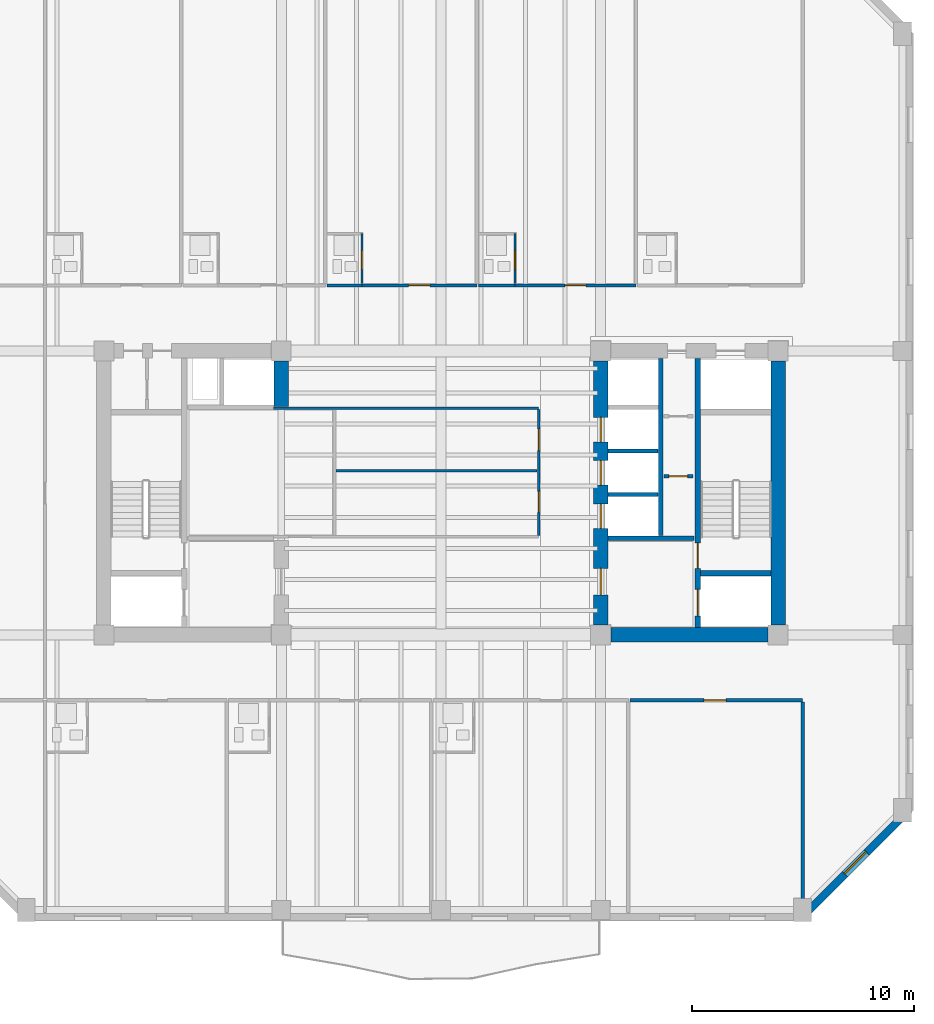
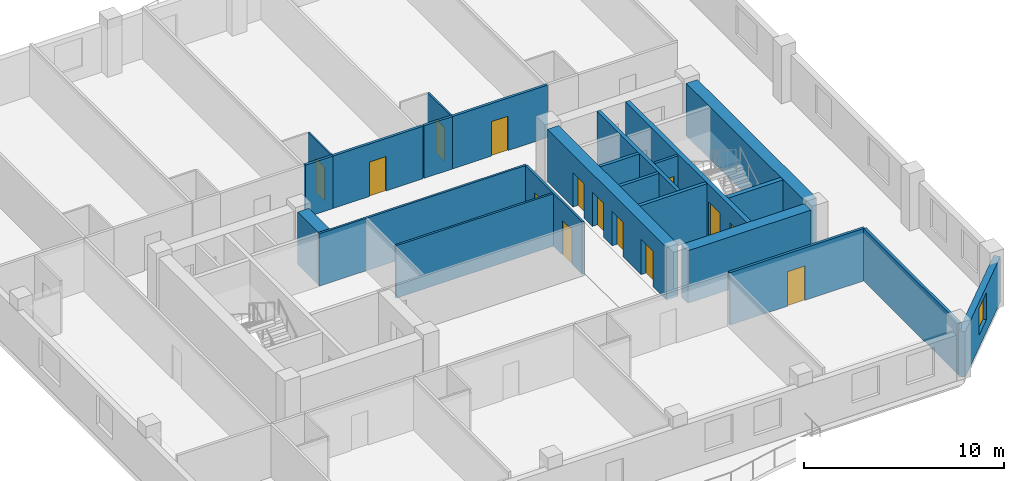
# One storey, part 4 of 10: 23 walls, 14 doors, 1 window, 15 openings.
"""IFC4 building model written with IfcOpenShell, lengths in metres."""

from ifc_helpers import new_model, si_unit, direction, frame, frame_2d, origin, place, context, subcontext, project, spatial, rectangle, extrude, material, layer, layer_set, type_object, element, fill, save


model = new_model("IFC4")

# Units and contexts
model_context = context("Model", 3, precision=1e-05, world=origin(), true_north=direction((0.0, 1.0)))
body_context = subcontext(model_context, "Body", "Model", "MODEL_VIEW")
ifc_project = project(units=[si_unit("LENGTHUNIT", "METRE"), si_unit("AREAUNIT", "SQUARE_METRE"), si_unit("VOLUMEUNIT", "CUBIC_METRE"), si_unit("PLANEANGLEUNIT", "RADIAN"), si_unit("MASSUNIT", "GRAM", prefix="KILO")], contexts=[model_context])

# Site, building, storey
site_placement = place(None, origin())
site = spatial("IfcSite", under=ifc_project, at=site_placement, CompositionType="ELEMENT")
building_placement = place(site_placement, origin())
building = spatial("IfcBuilding", under=site, at=building_placement, Name="Kranthara Brick Stack", CompositionType="ELEMENT")
storey_placement = place(building_placement, frame((0.0, 0.0, 186.800048828125)))
storey = spatial("IfcBuildingStorey", under=building, at=storey_placement, Name="L48", CompositionType="ELEMENT", Elevation=186.800048828125)

# Wall, opening, window
ifc_material_1 = material(Name="Kiln-fired clay brick masonry M15", Category="masonry")
ifc_layer_1 = layer(ifc_material_1, 0.35009765625)
ifc_layer_set_1 = layer_set([ifc_layer_1], Name="Kiln-fired clay brick masonry M15")
wall_type_1 = type_object("IfcWallType", Name="WL-BRK-SPND-350", PredefinedType="STANDARD", material=ifc_layer_set_1)
wall_1_placement = place(storey_placement, frame((49.10498046875, 12.89990234375, 0.0), z_axis=(0.0, 0.0, 1.0), x_axis=(-0.707106781187, -0.707106781187, 0.0)))
wall_1 = element("IfcWall", 1, at=wall_1_placement, inside=storey, type_object=wall_type_1, Name="L48 Exterior Brick Facade Wall SE 1", PredefinedType="STANDARD", context=body_context, shape_type="SweptSolid", body=[
    extrude(rectangle(XDim=6.795166015625, YDim=0.35009765625, at=frame_2d((3.3974609375, 0.0))), origin(), (0.0, 0.0, 1.0), 2.784912109375),
])
opening_1_placement = place(wall_1_placement, frame((2.697998046875, 0.0, 0.75)))
opening_1 = element("IfcOpeningElement", 2, at=opening_1_placement, cuts=wall_1, Name="Opening WN10", PredefinedType="OPENING", context=body_context, shape_type="SweptSolid", body=[
    extrude(rectangle(XDim=1.39990234375, YDim=1.64990234375, at=frame_2d((0.699951171875, 0.824951171875))), frame((0.0, 0.18505859375, 0.0), z_axis=(0.0, -1.0, 0.0), x_axis=(1.0, 0.0, 0.0)), (0.0, 0.0, 1.0), 0.3701171875),
])
ifc_material_2 = material(Name="Double-glazed low-E solar control glass", Category="glass")
window_type = type_object("IfcWindowType", Name="WN-CHM-1400x1750", PartitioningType="SINGLE_PANEL", PredefinedType="WINDOW", material=ifc_material_2)
window_placement = place(opening_1_placement, origin())
window = element("IfcWindow", 3, at=window_placement, inside=storey, type_object=window_type, Name="L48 SE Chamfer Corner Window", OverallHeight=1.64990234375, OverallWidth=1.39990234375, PartitioningType="SINGLE_PANEL", PredefinedType="WINDOW", context=body_context, shape_type="SweptSolid", body=[
    extrude(rectangle(XDim=1.39990234375, YDim=1.64990234375, at=frame_2d((0.699951171875, 0.824951171875))), frame((0.0, -0.010009765625, 0.0), z_axis=(0.0, -1.0, 0.0), x_axis=(1.0, 0.0, 0.0)), (0.0, 0.0, 1.0), 0.06005859375),
])
fill(opening_1, window)

# Wall, openings, doors
ifc_material_3 = material(Name="Concrete C50/60", Category="concrete")
ifc_layer_2 = layer(ifc_material_3, 0.25)
ifc_layer_set_2 = layer_set([ifc_layer_2], Name="Concrete C50/60")
wall_type_2 = type_object("IfcWallType", Name="WL-CORE-250", PredefinedType="SHEAR", material=ifc_layer_set_2)
wall_2_placement = place(storey_placement, frame((39.56494140625, 21.135009765625, 0.0), z_axis=(0.0, 0.0, 1.0), x_axis=(0.0, 1.0, 0.0)))
wall_2 = element("IfcWall", 4, at=wall_2_placement, inside=storey, type_object=wall_type_2, Name="L48 East Core Stair Bearing Spine Wall", PredefinedType="SHEAR", context=body_context, shape_type="SweptSolid", body=[
    extrude(rectangle(XDim=12.1298828125, YDim=0.25, at=frame_2d((6.06494140625, 0.0))), origin(), (0.0, 0.0, 1.0), 3.199951171875),
])
opening_2_placement = place(wall_2_placement, frame((0.514892578125, 0.0, 0.0)))
opening_2 = element("IfcOpeningElement", 5, at=opening_2_placement, cuts=wall_2, Name="Opening LD01", PredefinedType="OPENING", context=body_context, shape_type="SweptSolid", body=[
    extrude(rectangle(XDim=1.199951171875, YDim=2.14990234375, at=frame_2d((0.60009765625, 1.074951171875))), frame((0.0, 0.135009765625, 0.0), z_axis=(0.0, -1.0, 0.0), x_axis=(1.0, 0.0, 0.0)), (0.0, 0.0, 1.0), 0.27001953125),
])
opening_3_placement = place(wall_2_placement, frame((2.6650390625, 0.0, 0.0)))
opening_3 = element("IfcOpeningElement", 6, at=opening_3_placement, cuts=wall_2, Name="Opening D05", PredefinedType="OPENING", context=body_context, shape_type="SweptSolid", body=[
    extrude(rectangle(XDim=1.14990234375, YDim=2.14990234375, at=frame_2d((0.574951171875, 1.074951171875))), frame((0.0, 0.135009765625, 0.0), z_axis=(0.0, -1.0, 0.0), x_axis=(1.0, 0.0, 0.0)), (0.0, 0.0, 1.0), 0.27001953125),
])
ifc_material_4 = material(Name="Stainless steel sliding landing door", Category="steel")
door_type_1 = type_object("IfcDoorType", Name="DR-LD-FF1200", OperationType="DOUBLE_DOOR_SLIDING", PredefinedType="DOOR", material=ifc_material_4)
door_1_placement = place(opening_2_placement, origin())
door_1 = element("IfcDoor", 7, at=door_1_placement, inside=storey, type_object=door_type_1, Name="L48 Firefighting Lift FF-02 Landing Door", OperationType="DOUBLE_DOOR_SLIDING", OverallHeight=2.14990234375, OverallWidth=1.199951171875, PredefinedType="DOOR", context=body_context, shape_type="SweptSolid", body=[
    extrude(rectangle(XDim=1.199951171875, YDim=2.14990234375, at=frame_2d((0.60009765625, 1.074951171875))), frame((0.0, 0.02490234375, 0.0), z_axis=(0.0, -1.0, 0.0), x_axis=(1.0, 0.0, 0.0)), (0.0, 0.0, 1.0), 0.050048828125),
])
fill(opening_2, door_1)
ifc_material_5 = material(Name="Solid-core hardwood timber leaf in steel frame", Category="steel")
door_type_2 = type_object("IfcDoorType", Name="DR-ST-1150", OperationType="NOTDEFINED", PredefinedType="DOOR", material=ifc_material_5)
door_2_placement = place(opening_3_placement, origin())
door_2 = element("IfcDoor", 8, at=door_2_placement, inside=storey, type_object=door_type_2, Name="L48 Exit Stair ST02 Door", OperationType="SINGLE_SWING_LEFT", OverallHeight=2.14990234375, OverallWidth=1.14990234375, PredefinedType="DOOR", context=body_context, shape_type="SweptSolid", body=[
    extrude(rectangle(XDim=1.14990234375, YDim=2.14990234375, at=frame_2d((0.574951171875, 1.074951171875))), frame((0.0, 0.02490234375, 0.0), z_axis=(0.0, -1.0, 0.0), x_axis=(1.0, 0.0, 0.0)), (0.0, 0.0, 1.0), 0.050048828125),
])
fill(opening_3, door_2)

# Walls
wall_3_placement = place(storey_placement, frame((39.68994140625, 23.570068359375, 0.0), z_axis=(0.0, 0.0, 1.0), x_axis=(1.0, 0.0, 0.0)))
element("IfcWall", 9, at=wall_3_placement, inside=storey, type_object=wall_type_2, Name="L48 East Stairwell Bearing Wall EFF", PredefinedType="SHEAR", context=body_context, shape_type="SweptSolid", body=[
    extrude(rectangle(XDim=3.175048828125, YDim=0.25, at=frame_2d((1.58740234375, 0.0))), origin(), (0.0, 0.0, 1.0), 3.199951171875),
])
ifc_material_6 = material(Name="Concrete C60/75", Category="concrete")
ifc_layer_3 = layer(ifc_material_6, 0.64990234375)
ifc_layer_set_3 = layer_set([ifc_layer_3], Name="Concrete C60/75")
wall_type_3 = type_object("IfcWallType", Name="WL-CORE-650", PredefinedType="SHEAR", material=ifc_layer_set_3)
wall_4_placement = place(storey_placement, frame((20.800048828125, 31.10009765625, 0.0), z_axis=(0.0, 0.0, 1.0), x_axis=(0.0, 1.0, 0.0)))
element("IfcWall", 10, at=wall_4_placement, inside=storey, type_object=wall_type_3, Name="L48 West Core High-Rise Lift Wall", PredefinedType="SHEAR", context=body_context, shape_type="SweptSolid", body=[
    extrude(rectangle(XDim=2.044921875, YDim=0.64990234375, at=frame_2d((1.0224609375, 0.0))), origin(), (0.0, 0.0, 1.0), 3.199951171875),
])
wall_5_placement = place(storey_placement, frame((43.199951171875, 21.2548828125, 0.0), z_axis=(0.0, 0.0, 1.0), x_axis=(0.0, 1.0, 0.0)))
element("IfcWall", 11, at=wall_5_placement, inside=storey, type_object=wall_type_3, Name="L48 East Core Shear Wall East", PredefinedType="SHEAR", context=body_context, shape_type="SweptSolid", body=[
    extrude(rectangle(XDim=11.89013671875, YDim=0.64990234375, at=frame_2d((5.945068359375, 0.0))), origin(), (0.0, 0.0, 1.0), 3.199951171875),
])
wall_6_placement = place(storey_placement, frame((35.655029296875, 20.800048828125, 0.0), z_axis=(0.0, 0.0, 1.0), x_axis=(1.0, 0.0, 0.0)))
element("IfcWall", 12, at=wall_6_placement, inside=storey, type_object=wall_type_3, Name="L48 East Core Shear Wall South", PredefinedType="SHEAR", context=body_context, shape_type="SweptSolid", body=[
    extrude(rectangle(XDim=7.090087890625, YDim=0.64990234375, at=frame_2d((3.544921875, 0.0))), origin(), (0.0, 0.0, 1.0), 3.199951171875),
])

# Wall, openings, doors
wall_7_placement = place(storey_placement, frame((35.199951171875, 21.2548828125, 0.0), z_axis=(0.0, 0.0, 1.0), x_axis=(0.0, 1.0, 0.0)))
wall_7 = element("IfcWall", 13, at=wall_7_placement, inside=storey, type_object=wall_type_3, Name="L48 East Core Shear Wall West", PredefinedType="SHEAR", context=body_context, shape_type="SweptSolid", body=[
    extrude(rectangle(XDim=11.89013671875, YDim=0.64990234375, at=frame_2d((5.945068359375, 0.0))), origin(), (0.0, 0.0, 1.0), 3.199951171875),
])
opening_4_placement = place(wall_7_placement, frame((1.344970703125, 0.0, 0.0)))
opening_4 = element("IfcOpeningElement", 14, at=opening_4_placement, cuts=wall_7, Name="Opening D06", PredefinedType="OPENING", context=body_context, shape_type="SweptSolid", body=[
    extrude(rectangle(XDim=1.199951171875, YDim=2.14990234375, at=frame_2d((0.60009765625, 1.074951171875))), frame((0.0, 0.3349609375, 0.0), z_axis=(0.0, -1.0, 0.0), x_axis=(1.0, 0.0, 0.0)), (0.0, 0.0, 1.0), 0.669921875),
])
opening_5_placement = place(wall_7_placement, frame((4.344970703125, 0.0, 0.0)))
opening_5 = element("IfcOpeningElement", 15, at=opening_5_placement, cuts=wall_7, Name="Opening LD02", PredefinedType="OPENING", context=body_context, shape_type="SweptSolid", body=[
    extrude(rectangle(XDim=1.10009765625, YDim=2.10009765625, at=frame_2d((0.550048828125, 1.050048828125))), frame((0.0, 0.3349609375, 0.0), z_axis=(0.0, -1.0, 0.0), x_axis=(1.0, 0.0, 0.0)), (0.0, 0.0, 1.0), 0.669921875),
])
opening_6_placement = place(wall_7_placement, frame((6.294921875, 0.0, 0.0)))
opening_6 = element("IfcOpeningElement", 16, at=opening_6_placement, cuts=wall_7, Name="Opening LD02", PredefinedType="OPENING", context=body_context, shape_type="SweptSolid", body=[
    extrude(rectangle(XDim=1.10009765625, YDim=2.10009765625, at=frame_2d((0.550048828125, 1.050048828125))), frame((0.0, 0.3349609375, 0.0), z_axis=(0.0, -1.0, 0.0), x_axis=(1.0, 0.0, 0.0)), (0.0, 0.0, 1.0), 0.669921875),
])
opening_7_placement = place(wall_7_placement, frame((8.2451171875, 0.0, 0.0)))
opening_7 = element("IfcOpeningElement", 17, at=opening_7_placement, cuts=wall_7, Name="Opening LD02", PredefinedType="OPENING", context=body_context, shape_type="SweptSolid", body=[
    extrude(rectangle(XDim=1.10009765625, YDim=2.10009765625, at=frame_2d((0.550048828125, 1.050048828125))), frame((0.0, 0.3349609375, 0.0), z_axis=(0.0, -1.0, 0.0), x_axis=(1.0, 0.0, 0.0)), (0.0, 0.0, 1.0), 0.669921875),
])
ifc_material_7 = material(Name="Solid-core hardwood timber leaf in steel frame", Category="steel")
door_type_3 = type_object("IfcDoorType", Name="DR-FFL-1200", OperationType="NOTDEFINED", PredefinedType="DOOR", material=ifc_material_7)
door_3_placement = place(opening_4_placement, origin())
door_3 = element("IfcDoor", 18, at=door_3_placement, inside=storey, type_object=door_type_3, Name="L48 East Firefighting Lobby Door", OperationType="SINGLE_SWING_RIGHT", OverallHeight=2.14990234375, OverallWidth=1.199951171875, PredefinedType="DOOR", context=body_context, shape_type="SweptSolid", body=[
    extrude(rectangle(XDim=1.199951171875, YDim=2.14990234375, at=frame_2d((0.60009765625, 1.074951171875))), frame((0.0, 0.02490234375, 0.0), z_axis=(0.0, -1.0, 0.0), x_axis=(1.0, 0.0, 0.0)), (0.0, 0.0, 1.0), 0.050048828125),
])
fill(opening_4, door_3)
ifc_material_8 = material(Name="Stainless steel sliding landing door", Category="steel")
door_type_4 = type_object("IfcDoorType", Name="DR-LD-PL1100", OperationType="DOUBLE_DOOR_SLIDING", PredefinedType="DOOR", material=ifc_material_8)
door_4_placement = place(opening_5_placement, origin())
door_4 = element("IfcDoor", 19, at=door_4_placement, inside=storey, type_object=door_type_4, Name="L48 PL-04 Lift Landing Door", OperationType="DOUBLE_DOOR_SLIDING", OverallHeight=2.10009765625, OverallWidth=1.10009765625, PredefinedType="DOOR", context=body_context, shape_type="SweptSolid", body=[
    extrude(rectangle(XDim=1.10009765625, YDim=2.10009765625, at=frame_2d((0.550048828125, 1.050048828125))), frame((0.0, 0.02490234375, 0.0), z_axis=(0.0, -1.0, 0.0), x_axis=(1.0, 0.0, 0.0)), (0.0, 0.0, 1.0), 0.050048828125),
])
fill(opening_5, door_4)
door_5_placement = place(opening_6_placement, origin())
door_5 = element("IfcDoor", 20, at=door_5_placement, inside=storey, type_object=door_type_4, Name="L48 PL-05 Lift Landing Door", OperationType="DOUBLE_DOOR_SLIDING", OverallHeight=2.10009765625, OverallWidth=1.10009765625, PredefinedType="DOOR", context=body_context, shape_type="SweptSolid", body=[
    extrude(rectangle(XDim=1.10009765625, YDim=2.10009765625, at=frame_2d((0.550048828125, 1.050048828125))), frame((0.0, 0.02490234375, 0.0), z_axis=(0.0, -1.0, 0.0), x_axis=(1.0, 0.0, 0.0)), (0.0, 0.0, 1.0), 0.050048828125),
])
fill(opening_6, door_5)
door_6_placement = place(opening_7_placement, origin())
door_6 = element("IfcDoor", 21, at=door_6_placement, inside=storey, type_object=door_type_4, Name="L48 PL-06 Lift Landing Door", OperationType="DOUBLE_DOOR_SLIDING", OverallHeight=2.10009765625, OverallWidth=1.10009765625, PredefinedType="DOOR", context=body_context, shape_type="SweptSolid", body=[
    extrude(rectangle(XDim=1.10009765625, YDim=2.10009765625, at=frame_2d((0.550048828125, 1.050048828125))), frame((0.0, 0.02490234375, 0.0), z_axis=(0.0, -1.0, 0.0), x_axis=(1.0, 0.0, 0.0)), (0.0, 0.0, 1.0), 0.050048828125),
])
fill(opening_7, door_6)

# Wall, opening, door
ifc_material_9 = material(Name="Moisture-resistant wet-room partition", Category="other")
ifc_layer_4 = layer(ifc_material_9, 0.10009765625)
ifc_layer_set_4 = layer_set([ifc_layer_4], Name="Moisture-resistant wet-room partition")
wall_type_4 = type_object("IfcWallType", Name="WL-PART-100", PredefinedType="PARTITIONING", material=ifc_layer_set_4)
wall_8_placement = place(storey_placement, frame((24.43505859375, 36.6298828125, 0.0), z_axis=(0.0, 0.0, 1.0), x_axis=(0.0, 1.0, 0.0)))
wall_8 = element("IfcWall", 22, at=wall_8_placement, inside=storey, type_object=wall_type_4, Name="L48 Interior Partition 040", PredefinedType="PARTITIONING", context=body_context, shape_type="SweptSolid", body=[
    extrude(rectangle(XDim=2.25, YDim=0.10009765625, at=frame_2d((1.125, 0.0))), origin(), (0.0, 0.0, 1.0), 3.199951171875),
])
opening_8_placement = place(wall_8_placement, frame((0.639892578125, 0.0, 0.0)))
opening_8 = element("IfcOpeningElement", 23, at=opening_8_placement, cuts=wall_8, Name="Opening D17", PredefinedType="OPENING", context=body_context, shape_type="SweptSolid", body=[
    extrude(rectangle(XDim=0.85009765625, YDim=2.050048828125, at=frame_2d((0.425048828125, 1.02490234375))), frame((0.0, 0.06005859375, 0.0), z_axis=(0.0, -1.0, 0.0), x_axis=(1.0, 0.0, 0.0)), (0.0, 0.0, 1.0), 0.1201171875),
])
ifc_material_10 = material(Name="Solid-core hardwood timber leaf in steel frame", Category="steel")
door_type_5 = type_object("IfcDoorType", Name="DR-WET-850", OperationType="NOTDEFINED", PredefinedType="DOOR", material=ifc_material_10)
door_7_placement = place(opening_8_placement, origin())
door_7 = element("IfcDoor", 24, at=door_7_placement, inside=storey, type_object=door_type_5, Name="L48 Key 07 En-Suite Door 18", OperationType="SINGLE_SWING_RIGHT", OverallHeight=2.050048828125, OverallWidth=0.85009765625, PredefinedType="DOOR", context=body_context, shape_type="SweptSolid", body=[
    extrude(rectangle(XDim=0.85009765625, YDim=2.050048828125, at=frame_2d((0.425048828125, 1.02490234375))), frame((0.0, 0.02490234375, 0.0), z_axis=(0.0, -1.0, 0.0), x_axis=(1.0, 0.0, 0.0)), (0.0, 0.0, 1.0), 0.050048828125),
])
fill(opening_8, door_7)

wall_9_placement = place(storey_placement, frame((31.336181640625, 36.6298828125, 0.0), z_axis=(0.0, 0.0, 1.0), x_axis=(0.0, 1.0, 0.0)))
wall_9 = element("IfcWall", 25, at=wall_9_placement, inside=storey, type_object=wall_type_4, Name="L48 Interior Partition 045", PredefinedType="PARTITIONING", context=body_context, shape_type="SweptSolid", body=[
    extrude(rectangle(XDim=2.25, YDim=0.10009765625, at=frame_2d((1.125, 0.0))), origin(), (0.0, 0.0, 1.0), 3.199951171875),
])
opening_9_placement = place(wall_9_placement, frame((0.639892578125, 0.0, 0.0)))
opening_9 = element("IfcOpeningElement", 26, at=opening_9_placement, cuts=wall_9, Name="Opening D17", PredefinedType="OPENING", context=body_context, shape_type="SweptSolid", body=[
    extrude(rectangle(XDim=0.85009765625, YDim=2.050048828125, at=frame_2d((0.425048828125, 1.02490234375))), frame((0.0, 0.06005859375, 0.0), z_axis=(0.0, -1.0, 0.0), x_axis=(1.0, 0.0, 0.0)), (0.0, 0.0, 1.0), 0.1201171875),
])
door_8_placement = place(opening_9_placement, origin())
door_8 = element("IfcDoor", 27, at=door_8_placement, inside=storey, type_object=door_type_5, Name="L48 Key 08 En-Suite Door 20", OperationType="SINGLE_SWING_RIGHT", OverallHeight=2.050048828125, OverallWidth=0.85009765625, PredefinedType="DOOR", context=body_context, shape_type="SweptSolid", body=[
    extrude(rectangle(XDim=0.85009765625, YDim=2.050048828125, at=frame_2d((0.425048828125, 1.02490234375))), frame((0.0, 0.02490234375, 0.0), z_axis=(0.0, -1.0, 0.0), x_axis=(1.0, 0.0, 0.0)), (0.0, 0.0, 1.0), 0.050048828125),
])
fill(opening_9, door_8)

# Wall
ifc_material_11 = material(Name="Acoustic gypsum plasterboard partition", Category="other")
ifc_layer_5 = layer(ifc_material_11, 0.1201171875)
ifc_layer_set_5 = layer_set([ifc_layer_5], Name="Acoustic gypsum plasterboard partition")
wall_type_5 = type_object("IfcWallType", Name="WL-PART-120", PredefinedType="PARTITIONING", material=ifc_layer_set_5)
wall_10_placement = place(storey_placement, frame((20.4599609375, 31.02001953125, 0.0), z_axis=(0.0, 0.0, 1.0), x_axis=(1.0, 0.0, 0.0)))
element("IfcWall", 28, at=wall_10_placement, inside=storey, type_object=wall_type_5, Name="L48 Interior Partition 005", PredefinedType="PARTITIONING", context=body_context, shape_type="SweptSolid", body=[
    extrude(rectangle(XDim=11.93994140625, YDim=0.1201171875, at=frame_2d((5.969970703125, 0.0))), origin(), (0.0, 0.0, 1.0), 3.199951171875),
])

# Wall, openings, doors
wall_11_placement = place(storey_placement, frame((32.39990234375, 25.284912109375, 0.0), z_axis=(0.0, 0.0, 1.0), x_axis=(0.0, 1.0, 0.0)))
wall_11 = element("IfcWall", 29, at=wall_11_placement, inside=storey, type_object=wall_type_5, Name="L48 Interior Partition 006", PredefinedType="PARTITIONING", context=body_context, shape_type="SweptSolid", body=[
    extrude(rectangle(XDim=5.670166015625, YDim=0.1201171875, at=frame_2d((2.8349609375, 0.0))), origin(), (0.0, 0.0, 1.0), 3.199951171875),
])
opening_10_placement = place(wall_11_placement, frame((1.034912109375, 0.0, 0.0)))
opening_10 = element("IfcOpeningElement", 30, at=opening_10_placement, cuts=wall_11, Name="Opening D14", PredefinedType="OPENING", context=body_context, shape_type="SweptSolid", body=[
    extrude(rectangle(XDim=0.949951171875, YDim=2.10009765625, at=frame_2d((0.47509765625, 1.050048828125))), frame((0.0, 0.070068359375, 0.0), z_axis=(0.0, -1.0, 0.0), x_axis=(1.0, 0.0, 0.0)), (0.0, 0.0, 1.0), 0.14013671875),
])
opening_11_placement = place(wall_11_placement, frame((3.8349609375, 0.0, 0.0)))
opening_11 = element("IfcOpeningElement", 31, at=opening_11_placement, cuts=wall_11, Name="Opening D14", PredefinedType="OPENING", context=body_context, shape_type="SweptSolid", body=[
    extrude(rectangle(XDim=0.949951171875, YDim=2.10009765625, at=frame_2d((0.47509765625, 1.050048828125))), frame((0.0, 0.070068359375, 0.0), z_axis=(0.0, -1.0, 0.0), x_axis=(1.0, 0.0, 0.0)), (0.0, 0.0, 1.0), 0.14013671875),
])
ifc_material_12 = material(Name="Solid-core hardwood timber leaf in steel frame", Category="steel")
door_type_6 = type_object("IfcDoorType", Name="DR-INT-950", OperationType="NOTDEFINED", PredefinedType="DOOR", material=ifc_material_12)
door_9_placement = place(opening_10_placement, origin())
door_9 = element("IfcDoor", 32, at=door_9_placement, inside=storey, type_object=door_type_6, Name="L48 Housekeeping Linen Door 05", OperationType="SINGLE_SWING_LEFT", OverallHeight=2.10009765625, OverallWidth=0.949951171875, PredefinedType="DOOR", context=body_context, shape_type="SweptSolid", body=[
    extrude(rectangle(XDim=0.949951171875, YDim=2.10009765625, at=frame_2d((0.47509765625, 1.050048828125))), frame((0.0, 0.02490234375, 0.0), z_axis=(0.0, -1.0, 0.0), x_axis=(1.0, 0.0, 0.0)), (0.0, 0.0, 1.0), 0.050048828125),
])
fill(opening_10, door_9)
door_10_placement = place(opening_11_placement, origin())
door_10 = element("IfcDoor", 33, at=door_10_placement, inside=storey, type_object=door_type_6, Name="L48 Pantry Door 06", OperationType="SINGLE_SWING_RIGHT", OverallHeight=2.10009765625, OverallWidth=0.949951171875, PredefinedType="DOOR", context=body_context, shape_type="SweptSolid", body=[
    extrude(rectangle(XDim=0.949951171875, YDim=2.10009765625, at=frame_2d((0.47509765625, 1.050048828125))), frame((0.0, 0.02490234375, 0.0), z_axis=(0.0, -1.0, 0.0), x_axis=(1.0, 0.0, 0.0)), (0.0, 0.0, 1.0), 0.050048828125),
])
fill(opening_11, door_10)

# Wall
wall_12_placement = place(storey_placement, frame((23.264892578125, 28.199951171875, 0.0), z_axis=(0.0, 0.0, 1.0), x_axis=(1.0, 0.0, 0.0)))
element("IfcWall", 34, at=wall_12_placement, inside=storey, type_object=wall_type_5, Name="L48 Interior Partition 008", PredefinedType="PARTITIONING", context=body_context, shape_type="SweptSolid", body=[
    extrude(rectangle(XDim=9.070068359375, YDim=0.1201171875, at=frame_2d((4.53515625, 0.0))), origin(), (0.0, 0.0, 1.0), 3.199951171875),
])

# Wall, opening, door
ifc_material_13 = material(Name="Fire-rated gypsum board partition", Category="other")
ifc_layer_6 = layer(ifc_material_13, 0.14990234375)
ifc_layer_set_6 = layer_set([ifc_layer_6], Name="Fire-rated gypsum board partition")
wall_type_6 = type_object("IfcWallType", Name="WL-PART-150", PredefinedType="PARTITIONING", material=ifc_layer_set_6)
wall_13_placement = place(storey_placement, frame((38.050048828125, 27.949951171875, 0.0), z_axis=(0.0, 0.0, 1.0), x_axis=(1.0, 0.0, 0.0)))
wall_13 = element("IfcWall", 35, at=wall_13_placement, inside=storey, type_object=wall_type_6, Name="L48 Interior Partition 002", PredefinedType="PARTITIONING", context=body_context, shape_type="SweptSolid", body=[
    extrude(rectangle(XDim=1.300048828125, YDim=0.14990234375, at=frame_2d((0.64990234375, 0.0))), origin(), (0.0, 0.0, 1.0), 3.199951171875),
])
opening_12_placement = place(wall_13_placement, frame((0.219970703125, 0.0, 0.0)))
opening_12 = element("IfcOpeningElement", 36, at=opening_12_placement, cuts=wall_13, Name="Opening D10", PredefinedType="OPENING", context=body_context, shape_type="SweptSolid", body=[
    extrude(rectangle(XDim=0.85009765625, YDim=2.02001953125, at=frame_2d((0.425048828125, 1.010009765625))), frame((0.0, 0.0849609375, 0.0), z_axis=(0.0, -1.0, 0.0), x_axis=(1.0, 0.0, 0.0)), (0.0, 0.0, 1.0), 0.169921875),
])
ifc_material_14 = material(Name="Solid-core hardwood timber leaf in steel frame", Category="steel")
door_type_7 = type_object("IfcDoorType", Name="DR-RSR-850", OperationType="NOTDEFINED", PredefinedType="DOOR", material=ifc_material_14)
door_11_placement = place(opening_12_placement, origin())
door_11 = element("IfcDoor", 37, at=door_11_placement, inside=storey, type_object=door_type_7, Name="L48 Riser Door 1 02", OperationType="SINGLE_SWING_RIGHT", OverallHeight=2.02001953125, OverallWidth=0.85009765625, PredefinedType="DOOR", context=body_context, shape_type="SweptSolid", body=[
    extrude(rectangle(XDim=0.85009765625, YDim=2.02001953125, at=frame_2d((0.425048828125, 1.010009765625))), frame((0.0, 0.02490234375, 0.0), z_axis=(0.0, -1.0, 0.0), x_axis=(1.0, 0.0, 0.0)), (0.0, 0.0, 1.0), 0.050048828125),
])
fill(opening_12, door_11)

wall_14_placement = place(storey_placement, frame((36.52587890625, 17.85009765625, 0.0), z_axis=(0.0, 0.0, 1.0), x_axis=(1.0, 0.0, 0.0)))
wall_14 = element("IfcWall", 38, at=wall_14_placement, inside=storey, type_object=wall_type_6, Name="L48 Interior Partition 025", PredefinedType="PARTITIONING", context=body_context, shape_type="SweptSolid", body=[
    extrude(rectangle(XDim=7.774169921875, YDim=0.14990234375, at=frame_2d((3.88720703125, 0.0))), origin(), (0.0, 0.0, 1.0), 3.199951171875),
])
opening_13_placement = place(wall_14_placement, frame((3.326904296875, 0.0, 0.0)))
opening_13 = element("IfcOpeningElement", 39, at=opening_13_placement, cuts=wall_14, Name="Opening D08", PredefinedType="OPENING", context=body_context, shape_type="SweptSolid", body=[
    extrude(rectangle(XDim=1.0, YDim=2.10009765625, at=frame_2d((0.5, 1.050048828125))), frame((0.0, 0.0849609375, 0.0), z_axis=(0.0, -1.0, 0.0), x_axis=(1.0, 0.0, 0.0)), (0.0, 0.0, 1.0), 0.169921875),
])
ifc_material_15 = material(Name="Solid-core hardwood timber leaf in steel frame", Category="steel")
door_type_8 = type_object("IfcDoorType", Name="DR-FD-1000", OperationType="NOTDEFINED", PredefinedType="DOOR", material=ifc_material_15)
door_12_placement = place(opening_13_placement, origin())
door_12 = element("IfcDoor", 40, at=door_12_placement, inside=storey, type_object=door_type_8, Name="L48 Guest Lounge 13", OperationType="SINGLE_SWING_LEFT", OverallHeight=2.10009765625, OverallWidth=1.0, PredefinedType="DOOR", context=body_context, shape_type="SweptSolid", body=[
    extrude(rectangle(XDim=1.0, YDim=2.10009765625, at=frame_2d((0.5, 1.050048828125))), frame((0.0, 0.02490234375, 0.0), z_axis=(0.0, -1.0, 0.0), x_axis=(1.0, 0.0, 0.0)), (0.0, 0.0, 1.0), 0.050048828125),
])
fill(opening_13, door_12)

# Walls
wall_15_placement = place(storey_placement, frame((44.300048828125, 8.27490234375, 0.0), z_axis=(0.0, 0.0, 1.0), x_axis=(0.0, 1.0, 0.0)))
element("IfcWall", 41, at=wall_15_placement, inside=storey, type_object=wall_type_6, Name="L48 Interior Partition 026", PredefinedType="PARTITIONING", context=body_context, shape_type="SweptSolid", body=[
    extrude(rectangle(XDim=9.4951171875, YDim=0.14990234375, at=frame_2d((4.74755859375, 0.0))), origin(), (0.0, 0.0, 1.0), 3.199951171875),
])
wall_16_placement = place(storey_placement, frame((22.864990234375, 36.550048828125, 0.0), z_axis=(0.0, 0.0, 1.0), x_axis=(1.0, 0.0, 0.0)))
element("IfcWall", 42, at=wall_16_placement, inside=storey, type_object=wall_type_6, Name="L48 Interior Partition 038", PredefinedType="PARTITIONING", context=body_context, shape_type="SweptSolid", body=[
    extrude(rectangle(XDim=1.570068359375, YDim=0.14990234375, at=frame_2d((0.78515625, 0.0))), origin(), (0.0, 0.0, 1.0), 3.199951171875),
])

# Wall, opening, door
wall_17_placement = place(storey_placement, frame((24.43505859375, 36.550048828125, 0.0), z_axis=(0.0, 0.0, 1.0), x_axis=(1.0, 0.0, 0.0)))
wall_17 = element("IfcWall", 43, at=wall_17_placement, inside=storey, type_object=wall_type_6, Name="L48 Interior Partition 039", PredefinedType="PARTITIONING", context=body_context, shape_type="SweptSolid", body=[
    extrude(rectangle(XDim=5.179931640625, YDim=0.14990234375, at=frame_2d((2.58984375, 0.0))), origin(), (0.0, 0.0, 1.0), 3.199951171875),
])
opening_14_placement = place(wall_17_placement, frame((2.110107421875, 0.0, 0.0)))
opening_14 = element("IfcOpeningElement", 44, at=opening_14_placement, cuts=wall_17, Name="Opening D09", PredefinedType="OPENING", context=body_context, shape_type="SweptSolid", body=[
    extrude(rectangle(XDim=0.949951171875, YDim=2.10009765625, at=frame_2d((0.47509765625, 1.050048828125))), frame((0.0, 0.0849609375, 0.0), z_axis=(0.0, -1.0, 0.0), x_axis=(1.0, 0.0, 0.0)), (0.0, 0.0, 1.0), 0.169921875),
])
ifc_material_16 = material(Name="Solid-core hardwood timber leaf in steel frame", Category="steel")
door_type_9 = type_object("IfcDoorType", Name="DR-FD-950", OperationType="NOTDEFINED", PredefinedType="DOOR", material=ifc_material_16)
door_13_placement = place(opening_14_placement, origin())
door_13 = element("IfcDoor", 45, at=door_13_placement, inside=storey, type_object=door_type_9, Name="L48 Key 07 Entry 19", OperationType="SINGLE_SWING_LEFT", OverallHeight=2.10009765625, OverallWidth=0.949951171875, PredefinedType="DOOR", context=body_context, shape_type="SweptSolid", body=[
    extrude(rectangle(XDim=0.949951171875, YDim=2.10009765625, at=frame_2d((0.47509765625, 1.050048828125))), frame((0.0, 0.02490234375, 0.0), z_axis=(0.0, -1.0, 0.0), x_axis=(1.0, 0.0, 0.0)), (0.0, 0.0, 1.0), 0.050048828125),
])
fill(opening_14, door_13)

# Wall
wall_18_placement = place(storey_placement, frame((29.695068359375, 36.550048828125, 0.0), z_axis=(0.0, 0.0, 1.0), x_axis=(1.0, 0.0, 0.0)))
element("IfcWall", 46, at=wall_18_placement, inside=storey, type_object=wall_type_6, Name="L48 Interior Partition 043", PredefinedType="PARTITIONING", context=body_context, shape_type="SweptSolid", body=[
    extrude(rectangle(XDim=1.64111328125, YDim=0.14990234375, at=frame_2d((0.820556640625, 0.0))), origin(), (0.0, 0.0, 1.0), 3.199951171875),
])

# Wall, opening, door
wall_19_placement = place(storey_placement, frame((31.336181640625, 36.550048828125, 0.0), z_axis=(0.0, 0.0, 1.0), x_axis=(1.0, 0.0, 0.0)))
wall_19 = element("IfcWall", 47, at=wall_19_placement, inside=storey, type_object=wall_type_6, Name="L48 Interior Partition 044", PredefinedType="PARTITIONING", context=body_context, shape_type="SweptSolid", body=[
    extrude(rectangle(XDim=5.450927734375, YDim=0.14990234375, at=frame_2d((2.7255859375, 0.0))), origin(), (0.0, 0.0, 1.0), 3.199951171875),
])
opening_15_placement = place(wall_19_placement, frame((2.2451171875, 0.0, 0.0)))
opening_15 = element("IfcOpeningElement", 48, at=opening_15_placement, cuts=wall_19, Name="Opening D09", PredefinedType="OPENING", context=body_context, shape_type="SweptSolid", body=[
    extrude(rectangle(XDim=0.949951171875, YDim=2.10009765625, at=frame_2d((0.47509765625, 1.050048828125))), frame((0.0, 0.0849609375, 0.0), z_axis=(0.0, -1.0, 0.0), x_axis=(1.0, 0.0, 0.0)), (0.0, 0.0, 1.0), 0.169921875),
])
door_14_placement = place(opening_15_placement, origin())
door_14 = element("IfcDoor", 49, at=door_14_placement, inside=storey, type_object=door_type_9, Name="L48 Key 08 Entry 21", OperationType="SINGLE_SWING_LEFT", OverallHeight=2.10009765625, OverallWidth=0.949951171875, PredefinedType="DOOR", context=body_context, shape_type="SweptSolid", body=[
    extrude(rectangle(XDim=0.949951171875, YDim=2.10009765625, at=frame_2d((0.47509765625, 1.050048828125))), frame((0.0, 0.02490234375, 0.0), z_axis=(0.0, -1.0, 0.0), x_axis=(1.0, 0.0, 0.0)), (0.0, 0.0, 1.0), 0.050048828125),
])
fill(opening_15, door_14)

# Walls
ifc_material_17 = material(Name="Gypsum plasterboard on acoustic twin stud", Category="other")
ifc_layer_7 = layer(ifc_material_17, 0.179931640625)
ifc_layer_set_7 = layer_set([ifc_layer_7], Name="Gypsum plasterboard on acoustic twin stud")
wall_type_7 = type_object("IfcWallType", Name="WL-PART-180", PredefinedType="PARTITIONING", material=ifc_layer_set_7)
for number, where, z_axis, x_axis, name in (
    (50, (35.534912109375, 27.1201171875, 0.0), (0.0, 0.0, 1.0), (1.0, 0.0, 0.0), "L48 East Hoistway Wall EH1"),
    (51, (35.534912109375, 29.080078125, 0.0), (0.0, 0.0, 1.0), (1.0, 0.0, 0.0), "L48 East Hoistway Wall EH2"),
):
    element("IfcWall", number, at=place(storey_placement, frame(where, z_axis=z_axis, x_axis=x_axis)), inside=storey, type_object=wall_type_7, Name=name, PredefinedType="PARTITIONING", context=body_context, shape_type="SweptSolid", body=[
        extrude(rectangle(XDim=2.2451171875, YDim=0.179931640625, at=frame_2d((1.12255859375, 0.0))), origin(), (0.0, 0.0, 1.0), 3.199951171875),
    ])
ifc_material_18 = material(Name="Concrete C40/50", Category="concrete")
ifc_layer_8 = layer(ifc_material_18, 0.199951171875)
ifc_layer_set_8 = layer_set([ifc_layer_8], Name="Concrete C40/50")
wall_type_8 = type_object("IfcWallType", Name="WL-PART-200", PredefinedType="SOLIDWALL", material=ifc_layer_set_8)
wall_20_placement = place(storey_placement, frame((35.534912109375, 25.14990234375, 0.0), z_axis=(0.0, 0.0, 1.0), x_axis=(1.0, 0.0, 0.0)))
element("IfcWall", 52, at=wall_20_placement, inside=storey, type_object=wall_type_8, Name="L48 East Core Cross Wall EFL", PredefinedType="SOLIDWALL", context=body_context, shape_type="SweptSolid", body=[
    extrude(rectangle(XDim=3.864990234375, YDim=0.199951171875, at=frame_2d((1.9326171875, 0.0))), origin(), (0.0, 0.0, 1.0), 3.199951171875),
])
wall_21_placement = place(storey_placement, frame((37.89990234375, 25.27001953125, 0.0), z_axis=(0.0, 0.0, 1.0), x_axis=(0.0, 1.0, 0.0)))
element("IfcWall", 53, at=wall_21_placement, inside=storey, type_object=wall_type_8, Name="L48 East Core Cross Wall ESV", PredefinedType="SOLIDWALL", context=body_context, shape_type="SweptSolid", body=[
    extrude(rectangle(XDim=7.994873046875, YDim=0.199951171875, at=frame_2d((3.99755859375, 0.0))), origin(), (0.0, 0.0, 1.0), 3.199951171875),
])

save(model, "model.ifc")
